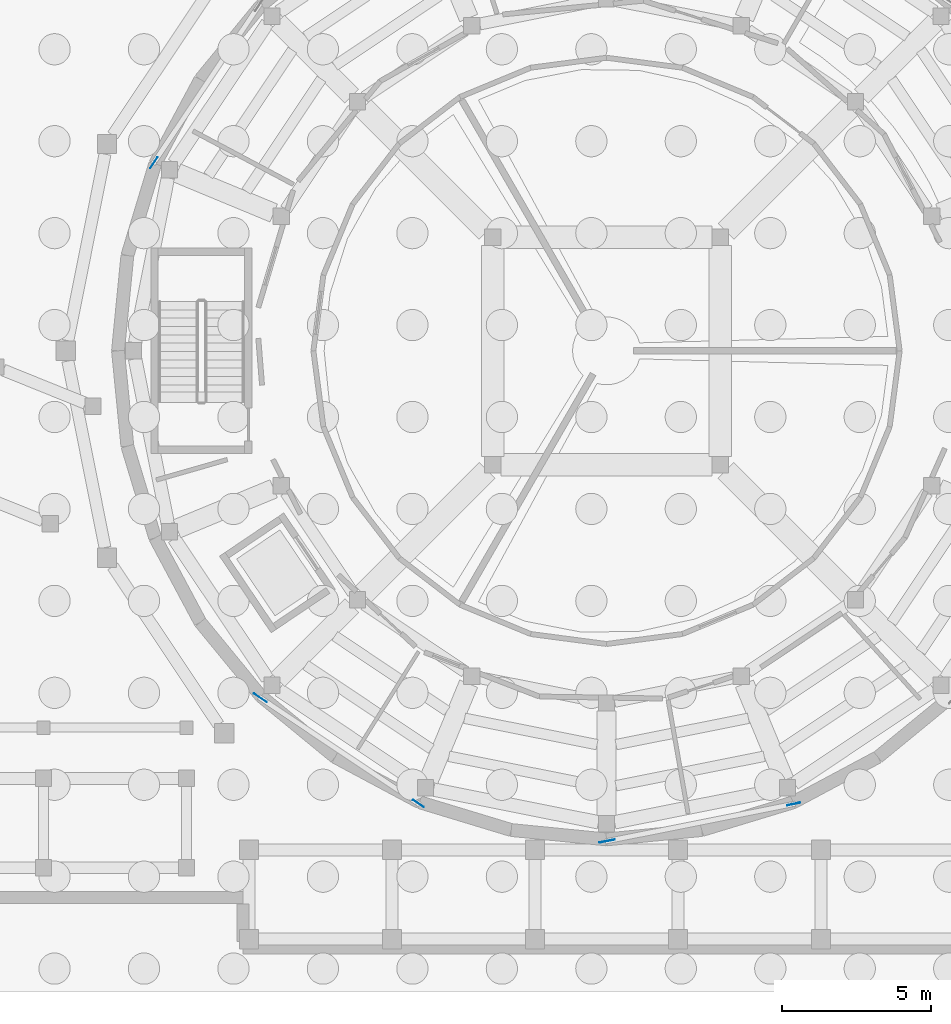
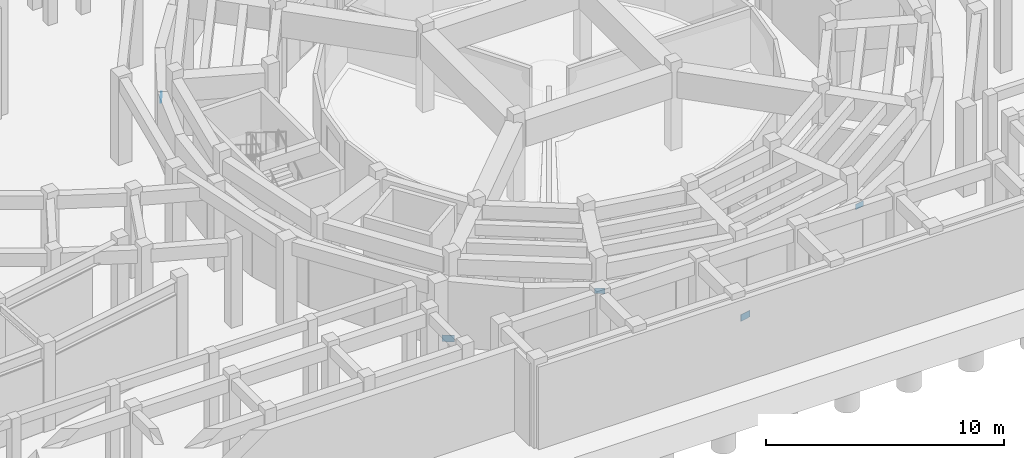
# One storey, part 26 of 57: 5 plates.
"""IFC4 building model written with IfcOpenShell, lengths in metres."""

from ifc_helpers import new_model, si_unit, direction, frame, origin, origin_2d, place, context, subcontext, project, spatial, rectangle, extrude, material, layer, layer_set, type_object, element, save


model = new_model("IFC4")

# Units and contexts
model_context = context("Model", 3, precision=1e-05, world=origin(), true_north=direction((0.0, 1.0)))
body_context = subcontext(model_context, "Body", "Model", "MODEL_VIEW")
ifc_project = project(units=[si_unit("LENGTHUNIT", "METRE"), si_unit("AREAUNIT", "SQUARE_METRE"), si_unit("VOLUMEUNIT", "CUBIC_METRE"), si_unit("PLANEANGLEUNIT", "RADIAN"), si_unit("MASSUNIT", "GRAM", prefix="KILO")], contexts=[model_context])

# Site, building, storey
site_placement = place(None, origin())
site = spatial("IfcSite", under=ifc_project, at=site_placement, CompositionType="ELEMENT")
building_placement = place(site_placement, origin())
building = spatial("IfcBuilding", under=site, at=building_placement, Name="Aldenvaro Health Centre", CompositionType="ELEMENT")
storey_placement = place(building_placement, frame((0.0, 0.0, -4.550048828125)))
storey = spatial("IfcBuildingStorey", under=building, at=storey_placement, Name="B1", CompositionType="ELEMENT", Elevation=-4.550048828125)

# Plates
ifc_material = material(Name="Steel ASTM A572 Grade 50", Category="steel")
ifc_layer_1 = layer(ifc_material, 0.01806640625, Name="Steel ASTM A572 Grade 50", Category="steel")
ifc_layer_set_1 = layer_set([ifc_layer_1], Name="Steel ASTM A572 Grade 50")
plate_type_1 = type_object("IfcPlateType", Name="PLT-GUS-02", PredefinedType="SHEET", material=ifc_layer_set_1)
for number, where, z_axis, x_axis, name in (
    (1, (75.3779296875, 8.35009765625, 0.1298828125), (0.0, 0.0, 1.0), (0.831421126488, -0.555642790316, 0.0), "D1 B1 brace end gusset 11.B"),
    (2, (87.02001953125, 3.5439453125, 0.1298828125), (0.0, 0.0, 1.0), (0.980785280403, 0.195090322016, 0.0), "D1 B1 brace end gusset 13.B"),
):
    element("IfcPlate", number, at=place(storey_placement, frame(where, z_axis=z_axis, x_axis=x_axis)), inside=storey, type_object=plate_type_1, Name=name, PredefinedType="SHEET", context=body_context, shape_type="SweptSolid", body=[
        extrude(rectangle(XDim=0.52001953125, YDim=0.01806640625, at=origin_2d()), origin(), (0.0, 0.0, 1.0), 0.340087890625),
    ])
ifc_layer_2 = layer(ifc_material, 0.01611328125, Name="Steel ASTM A572 Grade 50", Category="steel")
ifc_layer_set_2 = layer_set([ifc_layer_2], Name="Steel ASTM A572 Grade 50")
plate_type_2 = type_object("IfcPlateType", Name="PLT-GUS-03", PredefinedType="SHEET", material=ifc_layer_set_2)
for number, where, z_axis, x_axis, name in (
    (3, (71.803955078125, 26.31591796875, 2.89501953125), (0.0, 0.0, 1.0), (-0.555642790316, -0.831421126488, 0.0), "D1 B1 brace end gusset 7.T"),
    (4, (80.68408203125, 4.803955078125, 2.89501953125), (0.0, 0.0, 1.0), (0.831421126488, -0.555642790316, 0.0), "D1 B1 brace end gusset 11.T"),
    (5, (93.279052734375, 4.7890625, 2.89501953125), (0.0, 0.0, 1.0), (0.980785280403, 0.195090322016, 0.0), "D1 B1 brace end gusset 13.T"),
):
    element("IfcPlate", number, at=place(storey_placement, frame(where, z_axis=z_axis, x_axis=x_axis)), inside=storey, type_object=plate_type_2, Name=name, PredefinedType="SHEET", context=body_context, shape_type="SweptSolid", body=[
        extrude(rectangle(XDim=0.43994140625, YDim=0.01611328125, at=origin_2d()), origin(), (0.0, 0.0, 1.0), 0.280029296875),
    ])

save(model, "model.ifc")
